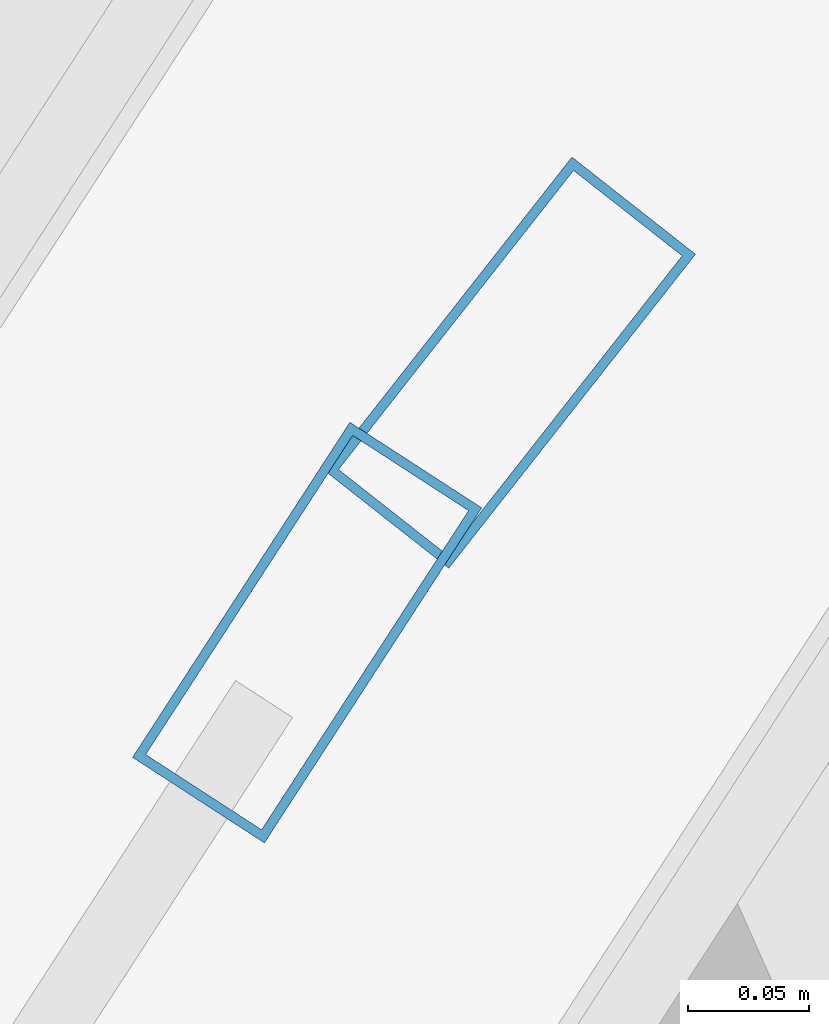
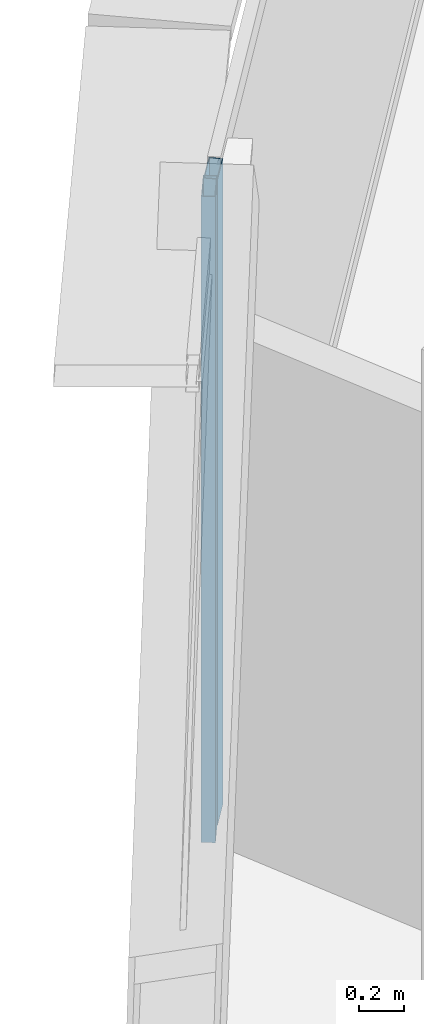
# One storey, part 16 of 39: 2 members, 2 elements without a shape of their own.
"""IFC4 building model written with IfcOpenShell, lengths in metres."""

from ifc_helpers import new_model, si_unit, direction, frame, origin, origin_2d, place, context, subcontext, project, spatial, hollow_rectangle, extrude, source, transform, mapped, material, layer, layer_set, material_profile, profile_set, type_object, element, aggregate, save


model = new_model("IFC4")

# Units and contexts
model_context = context("Model", 3, precision=1e-05, world=origin(), true_north=direction((0.0, 1.0)))
body_context = subcontext(model_context, "Body", "Model", "MODEL_VIEW")
ifc_project = project(units=[si_unit("LENGTHUNIT", "METRE"), si_unit("AREAUNIT", "SQUARE_METRE"), si_unit("VOLUMEUNIT", "CUBIC_METRE"), si_unit("PLANEANGLEUNIT", "RADIAN"), si_unit("MASSUNIT", "GRAM", prefix="KILO"), si_unit("THERMODYNAMICTEMPERATUREUNIT", "KELVIN"), si_unit("POWERUNIT", "WATT")], contexts=[model_context])

# Site, building, storey
site_placement = place(None, origin())
site = spatial("IfcSite", under=ifc_project, at=site_placement, CompositionType="ELEMENT")
building_placement = place(site_placement, origin())
building = spatial("IfcBuilding", under=site, at=building_placement, Name="Yunzhuo Pagoda Commons", CompositionType="ELEMENT")
storey_placement = place(building_placement, frame((0.0, 0.0, 92.580078125)))
storey = spatial("IfcBuildingStorey", under=building, at=storey_placement, Name="L23", CompositionType="ELEMENT", Elevation=92.580078125)

# Curtain wall, member
ifc_material = material(Name="Anodized aluminium 6063-T6", Category="aluminium")
ifc_layer = layer(ifc_material, 0.1650390625)
ifc_layer_set = layer_set([ifc_layer], Name="Anodized aluminium 6063-T6")
curtain_wall_type = type_object("IfcCurtainWallType", Name="CW-LOW Low-Zone Ribbon Curtain Wall", PredefinedType="NOTDEFINED", material=ifc_layer_set)
curtain_wall_1_placement = place(storey_placement, origin())
curtain_wall_1 = element("IfcCurtainWall", 1, at=curtain_wall_1_placement, inside=storey, type_object=curtain_wall_type, Name="L23 curtain wall CW-L23-F3B2", PredefinedType="NOTDEFINED")
ifc_material_profile = material_profile(ifc_material, hollow_rectangle(XDim=0.06494140625, YDim=0.1650390625, WallThickness=0.00390625, at=origin_2d()), Name="Anodized aluminium 6063-T6")
ifc_profile_set = profile_set([ifc_material_profile], Name="Anodized aluminium 6063-T6")
member_type = type_object("IfcMemberType", Name="CW-LOW-M Mullion RHS 165x65x4", PredefinedType="MULLION", material=ifc_profile_set)
shared_shape = source(origin(), body_context, "Body", "SweptSolid", [
    extrude(hollow_rectangle(XDim=0.06494140625, YDim=0.1650390625, WallThickness=0.00390625, at=origin_2d()), origin(), (0.0, 0.0, 1.0), 3.5400390625),
])
member_1_placement = place(storey_placement, frame((31.212158203125, 71.339599609375, 0.0), z_axis=(0.0, 0.0, 1.0), x_axis=(0.838972259493, -0.544174188841, 0.0)))
member_1 = element("IfcMember", 2, at=member_1_placement, type_object=member_type, Name="CW mullion 1", PredefinedType="MULLION", context=body_context, shape_type="MappedRepresentation", body=[
    mapped(shared_shape, transform((0.0, 0.0, 0.0), scale=1.0)),
])
aggregate(curtain_wall_1, [member_1])

curtain_wall_2_placement = place(storey_placement, origin())
curtain_wall_2 = element("IfcCurtainWall", 3, at=curtain_wall_2_placement, inside=storey, type_object=curtain_wall_type, Name="L23 curtain wall CW-L23-F3B1", PredefinedType="NOTDEFINED")
member_2_placement = place(storey_placement, frame((31.296142578125, 71.451171875, 0.0), z_axis=(0.0, 0.0, 1.0), x_axis=(0.786214870416, -0.617953216301, 0.0)))
member_2 = element("IfcMember", 4, at=member_2_placement, type_object=member_type, Name="CW mullion 2", PredefinedType="MULLION", context=body_context, shape_type="MappedRepresentation", body=[
    mapped(shared_shape, transform((0.0, 0.0, 0.0), scale=1.0)),
])
aggregate(curtain_wall_2, [member_2])

save(model, "model.ifc")
